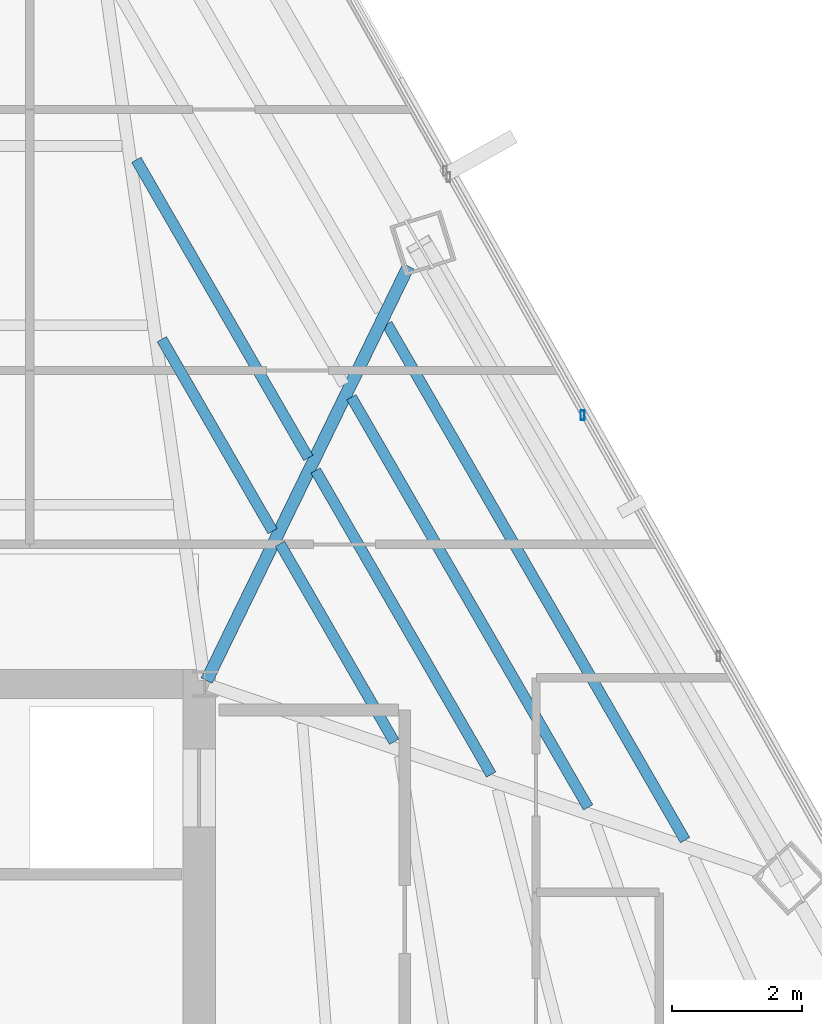
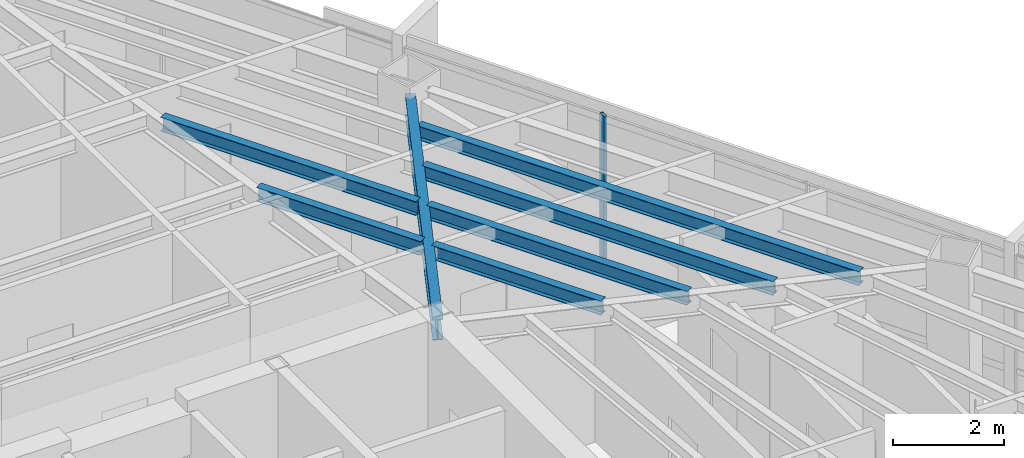
# One storey, part 25 of 44: 7 beams, 1 member, 1 element without a shape of its own.
"""IFC4 building model written with IfcOpenShell, lengths in metres."""

from ifc_helpers import new_model, si_unit, direction, frame, origin, origin_2d, place, context, subcontext, project, spatial, hollow_rectangle, i_section, extrude, source, transform, mapped, material, material_profile, profile_set, type_object, type_shapes, element, aggregate, save


model = new_model("IFC4")

# Units and contexts
model_context = context("Model", 3, precision=1e-05, world=origin(), true_north=direction((0.0, 1.0)))
body_context = subcontext(model_context, "Body", "Model", "MODEL_VIEW")
ifc_project = project(units=[si_unit("LENGTHUNIT", "METRE"), si_unit("AREAUNIT", "SQUARE_METRE"), si_unit("VOLUMEUNIT", "CUBIC_METRE"), si_unit("PLANEANGLEUNIT", "RADIAN"), si_unit("MASSUNIT", "GRAM", prefix="KILO")], contexts=[model_context])

# Site, building, storey
site_placement = place(None, origin())
site = spatial("IfcSite", under=ifc_project, at=site_placement, CompositionType="ELEMENT")
building_placement = place(site_placement, origin())
building = spatial("IfcBuilding", under=site, at=building_placement, Name="Caelisora Broadcast Tower", CompositionType="ELEMENT")
storey_placement = place(building_placement, frame((0.0, 0.0, 198.64990234375)))
storey = spatial("IfcBuildingStorey", under=building, at=storey_placement, Name="L52", CompositionType="ELEMENT", Elevation=198.64990234375)

# Beams
ifc_material_1 = material(Name="Steel Grade 350 (AS/NZS 3679.1)", Category="steel")
ifc_material_profile_1 = material_profile(ifc_material_1, i_section(OverallWidth=0.19091796875, OverallDepth=0.46044921875, WebThickness=0.010009765625, FlangeThickness=0.01611328125, at=origin_2d()), Name="Steel Grade 350 (AS/NZS 3679.1)")
ifc_profile_set_1 = profile_set([ifc_material_profile_1], Name="Steel Grade 350 (AS/NZS 3679.1)")
beam_type_1 = type_object("IfcBeamType", Name="PG06", PredefinedType="BEAM", material=ifc_profile_set_1)
shared_shape_1 = source(origin(), body_context, "Body", "SweptSolid", [
    extrude(i_section(OverallWidth=0.19091796875, OverallDepth=0.46044921875, WebThickness=0.010009765625, FlangeThickness=0.01611328125, at=origin_2d()), origin(), (0.0, 0.0, 1.0), 7.09814453125),
])
type_shapes(beam_type_1, [shared_shape_1])
beam_1_placement = place(storey_placement, frame((45.5263671875, 30.053955078125, 3.169921875), z_axis=(0.438013612886, 0.898968339223, 0.0), x_axis=(-0.898968339223, 0.438013612886, 0.0)))
element("IfcBeam", 1, at=beam_1_placement, inside=storey, type_object=beam_type_1, Name="L52 beam PG06", PredefinedType="BEAM", context=body_context, shape_type="MappedRepresentation", body=[
    mapped(shared_shape_1, transform((0.0, 0.0, 0.0), scale=1.0)),
])
ifc_material_profile_2 = material_profile(ifc_material_1, i_section(OverallWidth=0.166015625, OverallDepth=0.30712890625, WebThickness=0.006591796875, FlangeThickness=0.01171875, at=origin_2d()), Name="Steel Grade 350 (AS/NZS 3679.1)")
ifc_profile_set_2 = profile_set([ifc_material_profile_2], Name="Steel Grade 350 (AS/NZS 3679.1)")
beam_type_2 = type_object("IfcBeamType", Name="SB03", PredefinedType="JOIST", material=ifc_profile_set_2)
shared_shape_2 = source(origin(), body_context, "Body", "SweptSolid", [
    extrude(i_section(OverallWidth=0.166015625, OverallDepth=0.30712890625, WebThickness=0.006591796875, FlangeThickness=0.01171875, at=origin_2d()), origin(), (0.0, 0.0, 1.0), 3.4140625),
])
beam_2_placement = place(storey_placement, frame((46.5439453125, 32.354736328125, 3.24658203125), z_axis=(-0.499984494636, 0.866034355626, 0.0), x_axis=(-0.866034355626, -0.499984494636, 0.0)))
element("IfcBeam", 2, at=beam_2_placement, inside=storey, type_object=beam_type_2, Name="L52 beam SB03", PredefinedType="JOIST", context=body_context, shape_type="MappedRepresentation", body=[
    mapped(shared_shape_2, transform((0.0, 0.0, 0.0), scale=1.0)),
])
shared_shape_3 = source(origin(), body_context, "Body", "SweptSolid", [
    extrude(i_section(OverallWidth=0.166015625, OverallDepth=0.30712890625, WebThickness=0.006591796875, FlangeThickness=0.01171875, at=origin_2d()), origin(), (0.0, 0.0, 1.0), 5.30126953125),
])
beam_3_placement = place(storey_placement, frame((47.093994140625, 33.483642578125, 3.24658203125), z_axis=(-0.499997519625, 0.866026835825, 0.0), x_axis=(-0.866026835825, -0.499997519625, 0.0)))
element("IfcBeam", 3, at=beam_3_placement, inside=storey, type_object=beam_type_2, Name="L52 beam SB03", PredefinedType="JOIST", context=body_context, shape_type="MappedRepresentation", body=[
    mapped(shared_shape_3, transform((0.0, 0.0, 0.0), scale=1.0)),
])
shared_shape_4 = source(origin(), body_context, "Body", "SweptSolid", [
    extrude(i_section(OverallWidth=0.166015625, OverallDepth=0.30712890625, WebThickness=0.006591796875, FlangeThickness=0.01171875, at=origin_2d()), origin(), (0.0, 0.0, 1.0), 3.5205078125),
])
beam_4_placement = place(storey_placement, frame((48.41650390625, 29.111572265625, 3.24658203125), z_axis=(-0.500054600639, 0.865993877796, 0.0), x_axis=(-0.865993877796, -0.500054600639, 0.0)))
element("IfcBeam", 4, at=beam_4_placement, inside=storey, type_object=beam_type_2, Name="L52 beam SB03", PredefinedType="JOIST", context=body_context, shape_type="MappedRepresentation", body=[
    mapped(shared_shape_4, transform((0.0, 0.0, 0.0), scale=1.0)),
])
shared_shape_5 = source(origin(), body_context, "Body", "SweptSolid", [
    extrude(i_section(OverallWidth=0.166015625, OverallDepth=0.30712890625, WebThickness=0.006591796875, FlangeThickness=0.01171875, at=origin_2d()), origin(), (0.0, 0.0, 1.0), 5.407958984375),
])
beam_5_placement = place(storey_placement, frame((49.91015625, 28.60595703125, 3.24658203125), z_axis=(-0.50002335499, 0.866011919355, 0.0), x_axis=(-0.866011919355, -0.50002335499, 0.0)))
element("IfcBeam", 5, at=beam_5_placement, inside=storey, type_object=beam_type_2, Name="L52 beam SB03", PredefinedType="JOIST", context=body_context, shape_type="MappedRepresentation", body=[
    mapped(shared_shape_5, transform((0.0, 0.0, 0.0), scale=1.0)),
])
shared_shape_6 = source(origin(), body_context, "Body", "SweptSolid", [
    extrude(i_section(OverallWidth=0.166015625, OverallDepth=0.30712890625, WebThickness=0.006591796875, FlangeThickness=0.01171875, at=origin_2d()), origin(), (0.0, 0.0, 1.0), 7.29541015625),
])
beam_6_placement = place(storey_placement, frame((51.40380859375, 28.100341796875, 3.24658203125), z_axis=(-0.500008276014, 0.866020625573, 0.0), x_axis=(-0.866020625573, -0.500008276014, 0.0)))
element("IfcBeam", 6, at=beam_6_placement, inside=storey, type_object=beam_type_2, Name="L52 beam SB03", PredefinedType="JOIST", context=body_context, shape_type="MappedRepresentation", body=[
    mapped(shared_shape_6, transform((0.0, 0.0, 0.0), scale=1.0)),
])
shared_shape_7 = source(origin(), body_context, "Body", "SweptSolid", [
    extrude(i_section(OverallWidth=0.166015625, OverallDepth=0.30712890625, WebThickness=0.006591796875, FlangeThickness=0.01171875, at=origin_2d()), origin(), (0.0, 0.0, 1.0), 9.182373046875),
])
type_shapes(beam_type_2, [shared_shape_2, shared_shape_3, shared_shape_4, shared_shape_5, shared_shape_6, shared_shape_7])
beam_7_placement = place(storey_placement, frame((52.897216796875, 27.594970703125, 3.24658203125), z_axis=(-0.499990967271, 0.86603061877, 0.0), x_axis=(-0.86603061877, -0.499990967271, 0.0)))
element("IfcBeam", 7, at=beam_7_placement, inside=storey, type_object=beam_type_2, Name="L52 beam SB03", PredefinedType="JOIST", context=body_context, shape_type="MappedRepresentation", body=[
    mapped(shared_shape_7, transform((0.0, 0.0, 0.0), scale=1.0)),
])

# Curtain wall, member
ifc_material_2 = material(Name="Unitised Aluminium Insulated Shadow-Box Spandrel Curtain Wall", Category="aluminium")
curtain_wall_type = type_object("IfcCurtainWallType", Name="CW-SP2", PredefinedType="NOTDEFINED", material=ifc_material_2)
curtain_wall_placement = place(storey_placement, origin())
curtain_wall = element("IfcCurtainWall", 8, at=curtain_wall_placement, inside=storey, type_object=curtain_wall_type, Name="L52 curtain wall CW-SP2", PredefinedType="NOTDEFINED")
ifc_material_3 = material(Name="Aluminium 6063-T6 Anodised Terracotta Bronze", Category="aluminium")
ifc_material_profile_3 = material_profile(ifc_material_3, hollow_rectangle(XDim=0.06005859375, YDim=0.14990234375, WallThickness=0.00341796875, at=origin_2d()), Name="Aluminium 6063-T6 Anodised Terracotta Bronze")
ifc_profile_set_3 = profile_set([ifc_material_profile_3], Name="Aluminium 6063-T6 Anodised Terracotta Bronze")
member_type = type_object("IfcMemberType", Name="CWM-03", PredefinedType="MULLION", material=ifc_profile_set_3)
shared_shape_8 = source(origin(), body_context, "Body", "SweptSolid", [
    extrude(hollow_rectangle(XDim=0.06005859375, YDim=0.14990234375, WallThickness=0.00341796875, at=origin_2d()), origin(), (0.0, 0.0, 1.0), 3.400146484375),
])
type_shapes(member_type, [shared_shape_8])
member_placement = place(storey_placement, frame((51.3193359375, 34.14013671875, 0.0), z_axis=(0.0, 0.0, 1.0), x_axis=(1.0, 0.0, 0.0)))
member = element("IfcMember", 9, at=member_placement, type_object=member_type, Name="L52-CW-B02 mullion #1", PredefinedType="MULLION", context=body_context, shape_type="MappedRepresentation", body=[
    mapped(shared_shape_8, transform((0.0, 0.0, 0.0), scale=1.0)),
])
aggregate(curtain_wall, [member])

save(model, "model.ifc")
